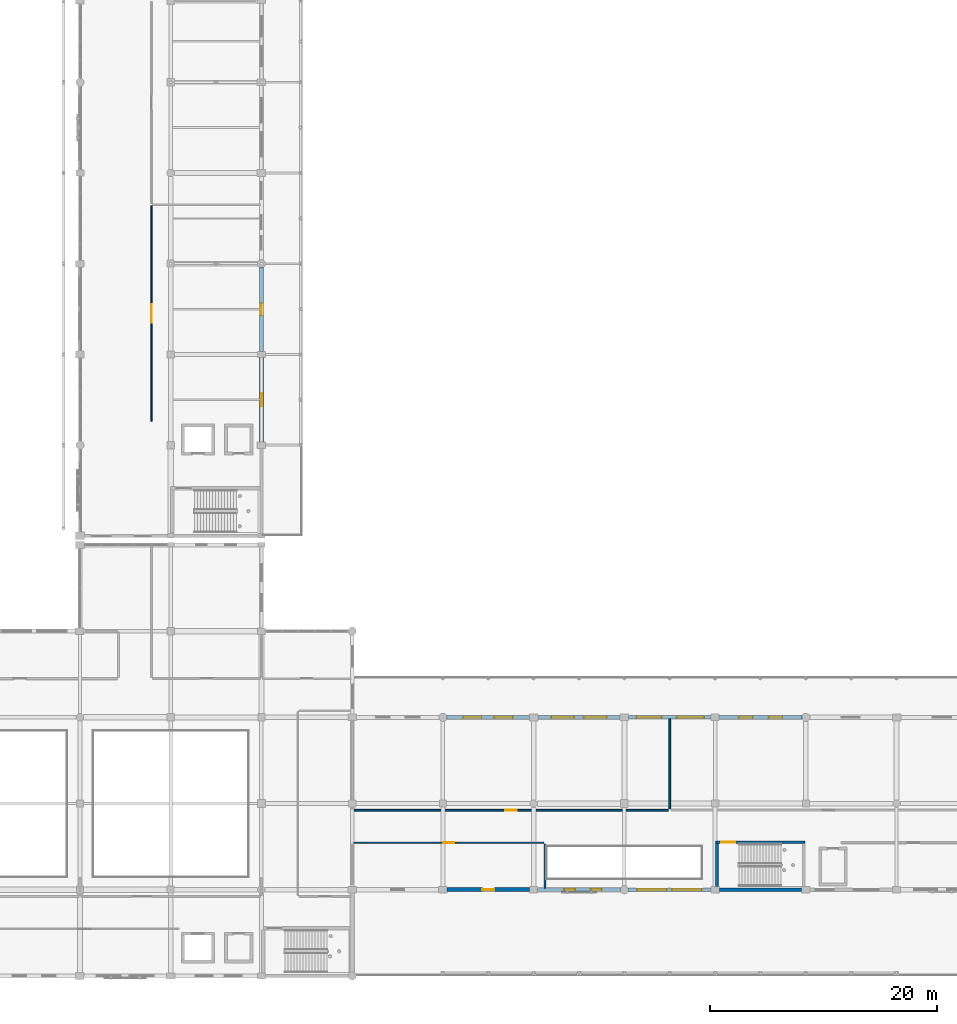
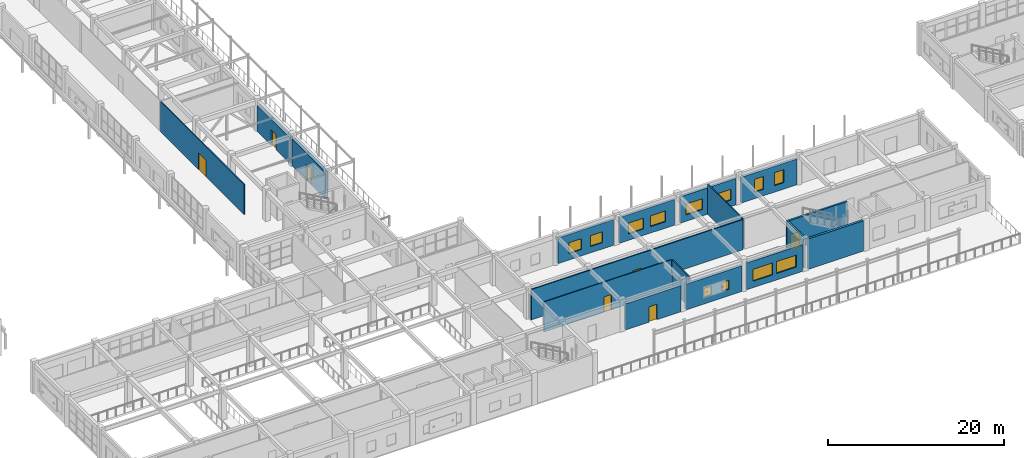
# One storey, part 127 of 160: 17 walls, 12 windows, 7 doors, 19 openings.
"""IFC4 building model written with IfcOpenShell, lengths in metres."""

from ifc_helpers import new_model, si_unit, direction, frame, frame_2d, origin, place, context, subcontext, project, spatial, rectangle, extrude, material, layer, layer_set, type_object, element, fill, save


model = new_model("IFC4")

# Units and contexts
model_context = context("Model", 3, precision=1e-05, world=origin(), true_north=direction((0.0, 1.0)))
body_context = subcontext(model_context, "Body", "Model", "MODEL_VIEW")
ifc_project = project(units=[si_unit("LENGTHUNIT", "METRE"), si_unit("AREAUNIT", "SQUARE_METRE"), si_unit("VOLUMEUNIT", "CUBIC_METRE"), si_unit("PLANEANGLEUNIT", "RADIAN"), si_unit("MASSUNIT", "GRAM", prefix="KILO")], contexts=[model_context])

# Site, building, storey
site_placement = place(None, origin())
site = spatial("IfcSite", under=ifc_project, at=site_placement, CompositionType="ELEMENT")
building_placement = place(site_placement, origin())
building = spatial("IfcBuilding", under=site, at=building_placement, Name="Kharva Crest Polytechnic", CompositionType="ELEMENT")
storey_placement = place(building_placement, frame((0.0, 0.0, 4.5)))
storey = spatial("IfcBuildingStorey", under=building, at=storey_placement, Name="L01", CompositionType="ELEMENT", Elevation=4.5)

# Wall, openings, windows
ifc_material_1 = material(Name="Kiln brick masonry", Category="masonry")
ifc_layer_1 = layer(ifc_material_1, 0.2900390625, Name="Kiln brick masonry")
ifc_layer_set_1 = layer_set([ifc_layer_1], Name="Kiln brick masonry")
wall_type_1 = type_object("IfcWallType", Name="WL-EXT-BRK-290", PredefinedType="SOLIDWALL", material=ifc_layer_set_1)
wall_1_placement = place(storey_placement, frame((71.6298828125, 22.800048828125, 0.0), z_axis=(0.0, 0.0, 1.0), x_axis=(-1.0, 0.0, 0.0)))
wall_1 = element("IfcWall", 1, at=wall_1_placement, inside=storey, type_object=wall_type_1, Name="L01 Exterior Brick Wall 144", PredefinedType="SOLIDWALL", context=body_context, shape_type="SweptSolid", body=[
    extrude(rectangle(XDim=7.327392578125, YDim=0.2900390625, at=frame_2d((3.66357421875, 0.0))), origin(), (0.0, 0.0, 1.0), 3.570068359375),
])
opening_1_placement = place(wall_1_placement, frame((1.48291015625, 0.0, 0.89990234375)))
opening_1 = element("IfcOpeningElement", 2, at=opening_1_placement, cuts=wall_1, Name="Opening W14", PredefinedType="OPENING", context=body_context, shape_type="SweptSolid", body=[
    extrude(rectangle(XDim=1.60009765625, YDim=1.5, at=frame_2d((0.800048828125, 0.75))), frame((0.0, 0.155029296875, 0.0), z_axis=(0.0, -1.0, 0.0), x_axis=(1.0, 0.0, 0.0)), (0.0, 0.0, 1.0), 0.31005859375),
])
opening_2_placement = place(wall_1_placement, frame((4.2451171875, 0.0, 0.89990234375)))
opening_2 = element("IfcOpeningElement", 3, at=opening_2_placement, cuts=wall_1, Name="Opening W14", PredefinedType="OPENING", context=body_context, shape_type="SweptSolid", body=[
    extrude(rectangle(XDim=1.60009765625, YDim=1.5, at=frame_2d((0.800048828125, 0.75))), frame((0.0, 0.155029296875, 0.0), z_axis=(0.0, -1.0, 0.0), x_axis=(1.0, 0.0, 0.0)), (0.0, 0.0, 1.0), 0.31005859375),
])
ifc_material_2 = material(Name="Anodised aluminium", Category="aluminium")
window_type_1 = type_object("IfcWindowType", Name="WIN-ALU-1600X1500", PartitioningType="SINGLE_PANEL", PredefinedType="WINDOW", material=ifc_material_2)
window_1_placement = place(opening_1_placement, origin())
window_1 = element("IfcWindow", 4, at=window_1_placement, inside=storey, type_object=window_type_1, Name="L01 Exterior Window 180", OverallHeight=1.5, OverallWidth=1.60009765625, PartitioningType="SINGLE_PANEL", PredefinedType="WINDOW", context=body_context, shape_type="SweptSolid", body=[
    extrude(rectangle(XDim=1.60009765625, YDim=1.5, at=frame_2d((0.800048828125, 0.75))), frame((0.0, 0.030029296875, 0.0), z_axis=(0.0, -1.0, 0.0), x_axis=(1.0, 0.0, 0.0)), (0.0, 0.0, 1.0), 0.06005859375),
])
fill(opening_1, window_1)
window_2_placement = place(opening_2_placement, origin())
window_2 = element("IfcWindow", 5, at=window_2_placement, inside=storey, type_object=window_type_1, Name="L01 Exterior Window 181", OverallHeight=1.5, OverallWidth=1.60009765625, PartitioningType="SINGLE_PANEL", PredefinedType="WINDOW", context=body_context, shape_type="SweptSolid", body=[
    extrude(rectangle(XDim=1.60009765625, YDim=1.5, at=frame_2d((0.800048828125, 0.75))), frame((0.0, 0.030029296875, 0.0), z_axis=(0.0, -1.0, 0.0), x_axis=(1.0, 0.0, 0.0)), (0.0, 0.0, 1.0), 0.06005859375),
])
fill(opening_2, window_2)

# Wall
ifc_layer_2 = layer(ifc_material_1, 0.304931640625, Name="Kiln brick masonry")
ifc_layer_set_2 = layer_set([ifc_layer_2], Name="Kiln brick masonry")
wall_type_2 = type_object("IfcWallType", Name="WL-EXT-BRK-305", PredefinedType="SOLIDWALL", material=ifc_layer_set_2)
wall_2_placement = place(storey_placement, frame((88.3701171875, 7.60009765625, 0.0), z_axis=(0.0, 0.0, 1.0), x_axis=(1.0, 0.0, 0.0)))
element("IfcWall", 6, at=wall_2_placement, inside=storey, type_object=wall_type_2, Name="L01 Exterior Brick Wall 135", PredefinedType="SOLIDWALL", context=body_context, shape_type="SweptSolid", body=[
    extrude(rectangle(XDim=7.259765625, YDim=0.304931640625, at=frame_2d((3.6298828125, 0.0))), origin(), (0.0, 0.0, 1.0), 4.219970703125),
])

# Wall, openings, windows
wall_3_placement = place(storey_placement, frame((79.6298828125, 22.800048828125, 0.0), z_axis=(0.0, 0.0, 1.0), x_axis=(-1.0, 0.0, 0.0)))
wall_3 = element("IfcWall", 7, at=wall_3_placement, inside=storey, type_object=wall_type_2, Name="L01 Exterior Brick Wall 143", PredefinedType="SOLIDWALL", context=body_context, shape_type="SweptSolid", body=[
    extrude(rectangle(XDim=7.259765625, YDim=0.304931640625, at=frame_2d((3.6298828125, 0.0))), origin(), (0.0, 0.0, 1.0), 3.570068359375),
])
opening_3_placement = place(wall_3_placement, frame((1.193115234375, 0.0, 0.89990234375)))
opening_3 = element("IfcOpeningElement", 8, at=opening_3_placement, cuts=wall_3, Name="Opening W12", PredefinedType="OPENING", context=body_context, shape_type="SweptSolid", body=[
    extrude(rectangle(XDim=2.0, YDim=1.5, at=frame_2d((1.0, 0.75))), frame((0.0, 0.162353515625, 0.0), z_axis=(0.0, -1.0, 0.0), x_axis=(1.0, 0.0, 0.0)), (0.0, 0.0, 1.0), 0.324951171875),
])
opening_4_placement = place(wall_3_placement, frame((4.06689453125, 0.0, 0.89990234375)))
opening_4 = element("IfcOpeningElement", 9, at=opening_4_placement, cuts=wall_3, Name="Opening W12", PredefinedType="OPENING", context=body_context, shape_type="SweptSolid", body=[
    extrude(rectangle(XDim=2.0, YDim=1.5, at=frame_2d((1.0, 0.75))), frame((0.0, 0.162353515625, 0.0), z_axis=(0.0, -1.0, 0.0), x_axis=(1.0, 0.0, 0.0)), (0.0, 0.0, 1.0), 0.324951171875),
])
window_type_2 = type_object("IfcWindowType", Name="WIN-ALU-2000X1500", PartitioningType="SINGLE_PANEL", PredefinedType="WINDOW", material=ifc_material_2)
window_3_placement = place(opening_3_placement, origin())
window_3 = element("IfcWindow", 10, at=window_3_placement, inside=storey, type_object=window_type_2, Name="L01 Exterior Window 178", OverallHeight=1.5, OverallWidth=2.0, PartitioningType="SINGLE_PANEL", PredefinedType="WINDOW", context=body_context, shape_type="SweptSolid", body=[
    extrude(rectangle(XDim=2.0, YDim=1.5, at=frame_2d((1.0, 0.75))), frame((0.0, 0.030029296875, 0.0), z_axis=(0.0, -1.0, 0.0), x_axis=(1.0, 0.0, 0.0)), (0.0, 0.0, 1.0), 0.06005859375),
])
fill(opening_3, window_3)
window_4_placement = place(opening_4_placement, origin())
window_4 = element("IfcWindow", 11, at=window_4_placement, inside=storey, type_object=window_type_2, Name="L01 Exterior Window 179", OverallHeight=1.5, OverallWidth=2.0, PartitioningType="SINGLE_PANEL", PredefinedType="WINDOW", context=body_context, shape_type="SweptSolid", body=[
    extrude(rectangle(XDim=2.0, YDim=1.5, at=frame_2d((1.0, 0.75))), frame((0.0, 0.030029296875, 0.0), z_axis=(0.0, -1.0, 0.0), x_axis=(1.0, 0.0, 0.0)), (0.0, 0.0, 1.0), 0.06005859375),
])
fill(opening_4, window_4)

ifc_layer_3 = layer(ifc_material_1, 0.320068359375, Name="Kiln brick masonry")
ifc_layer_set_3 = layer_set([ifc_layer_3], Name="Kiln brick masonry")
wall_type_3 = type_object("IfcWallType", Name="WL-EXT-BRK-320", PredefinedType="SOLIDWALL", material=ifc_layer_set_3)
wall_4_placement = place(storey_placement, frame((80.302490234375, 7.60009765625, 0.0), z_axis=(0.0, 0.0, 1.0), x_axis=(1.0, 0.0, 0.0)))
wall_4 = element("IfcWall", 12, at=wall_4_placement, inside=storey, type_object=wall_type_3, Name="L01 Exterior Brick Wall 134", PredefinedType="SOLIDWALL", context=body_context, shape_type="SweptSolid", body=[
    extrude(rectangle(XDim=7.327392578125, YDim=0.320068359375, at=frame_2d((3.66357421875, 0.0))), origin(), (0.0, 0.0, 1.0), 3.719970703125),
])
opening_5_placement = place(wall_4_placement, frame((0.81591796875, 0.0, 0.89990234375)))
opening_5 = element("IfcOpeningElement", 13, at=opening_5_placement, cuts=wall_4, Name="Opening W24", PredefinedType="OPENING", context=body_context, shape_type="SweptSolid", body=[
    extrude(rectangle(XDim=2.60009765625, YDim=1.64990234375, at=frame_2d((1.300048828125, 0.824951171875))), frame((0.0, 0.169921875, 0.0), z_axis=(0.0, -1.0, 0.0), x_axis=(1.0, 0.0, 0.0)), (0.0, 0.0, 1.0), 0.340087890625),
])
opening_6_placement = place(wall_4_placement, frame((3.912109375, 0.0, 0.89990234375)))
opening_6 = element("IfcOpeningElement", 14, at=opening_6_placement, cuts=wall_4, Name="Opening W24", PredefinedType="OPENING", context=body_context, shape_type="SweptSolid", body=[
    extrude(rectangle(XDim=2.60009765625, YDim=1.64990234375, at=frame_2d((1.300048828125, 0.824951171875))), frame((0.0, 0.169921875, 0.0), z_axis=(0.0, -1.0, 0.0), x_axis=(1.0, 0.0, 0.0)), (0.0, 0.0, 1.0), 0.340087890625),
])
window_type_3 = type_object("IfcWindowType", Name="WIN-ALU-2600X1650", PartitioningType="SINGLE_PANEL", PredefinedType="WINDOW", material=ifc_material_2)
window_5_placement = place(opening_5_placement, origin())
window_5 = element("IfcWindow", 15, at=window_5_placement, inside=storey, type_object=window_type_3, Name="L01 Exterior Window 166", OverallHeight=1.64990234375, OverallWidth=2.60009765625, PartitioningType="SINGLE_PANEL", PredefinedType="WINDOW", context=body_context, shape_type="SweptSolid", body=[
    extrude(rectangle(XDim=2.60009765625, YDim=1.64990234375, at=frame_2d((1.300048828125, 0.824951171875))), frame((0.0, 0.030029296875, 0.0), z_axis=(0.0, -1.0, 0.0), x_axis=(1.0, 0.0, 0.0)), (0.0, 0.0, 1.0), 0.06005859375),
])
fill(opening_5, window_5)
window_6_placement = place(opening_6_placement, origin())
window_6 = element("IfcWindow", 16, at=window_6_placement, inside=storey, type_object=window_type_3, Name="L01 Exterior Window 167", OverallHeight=1.64990234375, OverallWidth=2.60009765625, PartitioningType="SINGLE_PANEL", PredefinedType="WINDOW", context=body_context, shape_type="SweptSolid", body=[
    extrude(rectangle(XDim=2.60009765625, YDim=1.64990234375, at=frame_2d((1.300048828125, 0.824951171875))), frame((0.0, 0.030029296875, 0.0), z_axis=(0.0, -1.0, 0.0), x_axis=(1.0, 0.0, 0.0)), (0.0, 0.0, 1.0), 0.06005859375),
])
fill(opening_6, window_6)

wall_5_placement = place(storey_placement, frame((87.64501953125, 22.800048828125, 0.0), z_axis=(0.0, 0.0, 1.0), x_axis=(-1.0, 0.0, 0.0)))
wall_5 = element("IfcWall", 17, at=wall_5_placement, inside=storey, type_object=wall_type_3, Name="L01 Exterior Brick Wall 142", PredefinedType="SOLIDWALL", context=body_context, shape_type="SweptSolid", body=[
    extrude(rectangle(XDim=7.27490234375, YDim=0.320068359375, at=frame_2d((3.637451171875, 0.0))), origin(), (0.0, 0.0, 1.0), 3.669921875),
])
opening_7_placement = place(wall_5_placement, frame((0.617919921875, 0.0, 0.89990234375)))
opening_7 = element("IfcOpeningElement", 18, at=opening_7_placement, cuts=wall_5, Name="Opening W10", PredefinedType="OPENING", context=body_context, shape_type="SweptSolid", body=[
    extrude(rectangle(XDim=2.39990234375, YDim=1.5, at=frame_2d((1.199951171875, 0.75))), frame((0.0, 0.169921875, 0.0), z_axis=(0.0, -1.0, 0.0), x_axis=(1.0, 0.0, 0.0)), (0.0, 0.0, 1.0), 0.340087890625),
])
opening_8_placement = place(wall_5_placement, frame((4.35498046875, 0.0, 0.89990234375)))
opening_8 = element("IfcOpeningElement", 19, at=opening_8_placement, cuts=wall_5, Name="Opening W11", PredefinedType="OPENING", context=body_context, shape_type="SweptSolid", body=[
    extrude(rectangle(XDim=2.199951171875, YDim=1.5, at=frame_2d((1.10009765625, 0.75))), frame((0.0, 0.169921875, 0.0), z_axis=(0.0, -1.0, 0.0), x_axis=(1.0, 0.0, 0.0)), (0.0, 0.0, 1.0), 0.340087890625),
])
window_type_4 = type_object("IfcWindowType", Name="WIN-ALU-2200X1500", PartitioningType="SINGLE_PANEL", PredefinedType="WINDOW", material=ifc_material_2)
window_7_placement = place(opening_8_placement, origin())
window_7 = element("IfcWindow", 20, at=window_7_placement, inside=storey, type_object=window_type_4, Name="L01 Exterior Window 177", OverallHeight=1.5, OverallWidth=2.199951171875, PartitioningType="SINGLE_PANEL", PredefinedType="WINDOW", context=body_context, shape_type="SweptSolid", body=[
    extrude(rectangle(XDim=2.199951171875, YDim=1.5, at=frame_2d((1.10009765625, 0.75))), frame((0.0, 0.030029296875, 0.0), z_axis=(0.0, -1.0, 0.0), x_axis=(1.0, 0.0, 0.0)), (0.0, 0.0, 1.0), 0.06005859375),
])
fill(opening_8, window_7)
window_type_5 = type_object("IfcWindowType", Name="WIN-ALU-2400X1500", PartitioningType="SINGLE_PANEL", PredefinedType="WINDOW", material=ifc_material_2)
window_8_placement = place(opening_7_placement, origin())
window_8 = element("IfcWindow", 21, at=window_8_placement, inside=storey, type_object=window_type_5, Name="L01 Exterior Window 176", OverallHeight=1.5, OverallWidth=2.39990234375, PartitioningType="SINGLE_PANEL", PredefinedType="WINDOW", context=body_context, shape_type="SweptSolid", body=[
    extrude(rectangle(XDim=2.39990234375, YDim=1.5, at=frame_2d((1.199951171875, 0.75))), frame((0.0, 0.030029296875, 0.0), z_axis=(0.0, -1.0, 0.0), x_axis=(1.0, 0.0, 0.0)), (0.0, 0.0, 1.0), 0.06005859375),
])
fill(opening_7, window_8)

ifc_layer_4 = layer(ifc_material_1, 0.3349609375, Name="Kiln brick masonry")
ifc_layer_set_4 = layer_set([ifc_layer_4], Name="Kiln brick masonry")
wall_type_4 = type_object("IfcWallType", Name="WL-EXT-BRK-335", PredefinedType="SOLIDWALL", material=ifc_layer_set_4)
wall_6_placement = place(storey_placement, frame((72.35498046875, 7.60009765625, 0.0), z_axis=(0.0, 0.0, 1.0), x_axis=(1.0, 0.0, 0.0)))
wall_6 = element("IfcWall", 22, at=wall_6_placement, inside=storey, type_object=wall_type_4, Name="L01 Exterior Brick Wall 133", PredefinedType="SOLIDWALL", context=body_context, shape_type="SweptSolid", body=[
    extrude(rectangle(XDim=7.342529296875, YDim=0.3349609375, at=frame_2d((3.67138671875, 0.0))), origin(), (0.0, 0.0, 1.0), 3.570068359375),
])
opening_9_placement = place(wall_6_placement, frame((2.35107421875, 0.0, 0.89990234375)))
opening_9 = element("IfcOpeningElement", 23, at=opening_9_placement, cuts=wall_6, Name="Opening W22", PredefinedType="OPENING", context=body_context, shape_type="SweptSolid", body=[
    extrude(rectangle(XDim=0.949951171875, YDim=1.25, at=frame_2d((0.47509765625, 0.625))), frame((0.0, 0.177490234375, 0.0), z_axis=(0.0, -1.0, 0.0), x_axis=(1.0, 0.0, 0.0)), (0.0, 0.0, 1.0), 0.35498046875),
])
opening_10_placement = place(wall_6_placement, frame((4.68701171875, 0.0, 0.89990234375)))
opening_10 = element("IfcOpeningElement", 24, at=opening_10_placement, cuts=wall_6, Name="Opening W22", PredefinedType="OPENING", context=body_context, shape_type="SweptSolid", body=[
    extrude(rectangle(XDim=0.949951171875, YDim=1.25, at=frame_2d((0.47509765625, 0.625))), frame((0.0, 0.177490234375, 0.0), z_axis=(0.0, -1.0, 0.0), x_axis=(1.0, 0.0, 0.0)), (0.0, 0.0, 1.0), 0.35498046875),
])
window_type_6 = type_object("IfcWindowType", Name="WIN-ALU-950X1250", PartitioningType="SINGLE_PANEL", PredefinedType="WINDOW", material=ifc_material_2)
window_9_placement = place(opening_9_placement, origin())
window_9 = element("IfcWindow", 25, at=window_9_placement, inside=storey, type_object=window_type_6, Name="L01 Exterior Window 164", OverallHeight=1.25, OverallWidth=0.949951171875, PartitioningType="SINGLE_PANEL", PredefinedType="WINDOW", context=body_context, shape_type="SweptSolid", body=[
    extrude(rectangle(XDim=0.949951171875, YDim=1.25, at=frame_2d((0.47509765625, 0.625))), frame((0.0, 0.030029296875, 0.0), z_axis=(0.0, -1.0, 0.0), x_axis=(1.0, 0.0, 0.0)), (0.0, 0.0, 1.0), 0.06005859375),
])
fill(opening_9, window_9)
window_10_placement = place(opening_10_placement, origin())
window_10 = element("IfcWindow", 26, at=window_10_placement, inside=storey, type_object=window_type_6, Name="L01 Exterior Window 165", OverallHeight=1.25, OverallWidth=0.949951171875, PartitioningType="SINGLE_PANEL", PredefinedType="WINDOW", context=body_context, shape_type="SweptSolid", body=[
    extrude(rectangle(XDim=0.949951171875, YDim=1.25, at=frame_2d((0.47509765625, 0.625))), frame((0.0, 0.030029296875, 0.0), z_axis=(0.0, -1.0, 0.0), x_axis=(1.0, 0.0, 0.0)), (0.0, 0.0, 1.0), 0.06005859375),
])
fill(opening_10, window_10)

wall_7_placement = place(storey_placement, frame((95.697509765625, 22.800048828125, 0.0), z_axis=(0.0, 0.0, 1.0), x_axis=(-1.0, 0.0, 0.0)))
wall_7 = element("IfcWall", 27, at=wall_7_placement, inside=storey, type_object=wall_type_4, Name="L01 Exterior Brick Wall 141", PredefinedType="SOLIDWALL", context=body_context, shape_type="SweptSolid", body=[
    extrude(rectangle(XDim=7.342529296875, YDim=0.3349609375, at=frame_2d((3.67138671875, 0.0))), origin(), (0.0, 0.0, 1.0), 3.570068359375),
])
opening_11_placement = place(wall_7_placement, frame((1.75390625, 0.0, 0.89990234375)))
opening_11 = element("IfcOpeningElement", 28, at=opening_11_placement, cuts=wall_7, Name="Opening W08", PredefinedType="OPENING", context=body_context, shape_type="SweptSolid", body=[
    extrude(rectangle(XDim=1.199951171875, YDim=1.800048828125, at=frame_2d((0.60009765625, 0.89990234375))), frame((0.0, 0.177490234375, 0.0), z_axis=(0.0, -1.0, 0.0), x_axis=(1.0, 0.0, 0.0)), (0.0, 0.0, 1.0), 0.35498046875),
])
opening_12_placement = place(wall_7_placement, frame((4.387939453125, 0.0, 0.89990234375)))
opening_12 = element("IfcOpeningElement", 29, at=opening_12_placement, cuts=wall_7, Name="Opening W08", PredefinedType="OPENING", context=body_context, shape_type="SweptSolid", body=[
    extrude(rectangle(XDim=1.199951171875, YDim=1.800048828125, at=frame_2d((0.60009765625, 0.89990234375))), frame((0.0, 0.177490234375, 0.0), z_axis=(0.0, -1.0, 0.0), x_axis=(1.0, 0.0, 0.0)), (0.0, 0.0, 1.0), 0.35498046875),
])
window_type_7 = type_object("IfcWindowType", Name="WIN-ALU-1200X1800", PartitioningType="SINGLE_PANEL", PredefinedType="WINDOW", material=ifc_material_2)
window_11_placement = place(opening_11_placement, origin())
window_11 = element("IfcWindow", 30, at=window_11_placement, inside=storey, type_object=window_type_7, Name="L01 Exterior Window 174", OverallHeight=1.800048828125, OverallWidth=1.199951171875, PartitioningType="SINGLE_PANEL", PredefinedType="WINDOW", context=body_context, shape_type="SweptSolid", body=[
    extrude(rectangle(XDim=1.199951171875, YDim=1.800048828125, at=frame_2d((0.60009765625, 0.89990234375))), frame((0.0, 0.030029296875, 0.0), z_axis=(0.0, -1.0, 0.0), x_axis=(1.0, 0.0, 0.0)), (0.0, 0.0, 1.0), 0.06005859375),
])
fill(opening_11, window_11)
window_12_placement = place(opening_12_placement, origin())
window_12 = element("IfcWindow", 31, at=window_12_placement, inside=storey, type_object=window_type_7, Name="L01 Exterior Window 175", OverallHeight=1.800048828125, OverallWidth=1.199951171875, PartitioningType="SINGLE_PANEL", PredefinedType="WINDOW", context=body_context, shape_type="SweptSolid", body=[
    extrude(rectangle(XDim=1.199951171875, YDim=1.800048828125, at=frame_2d((0.60009765625, 0.89990234375))), frame((0.0, 0.030029296875, 0.0), z_axis=(0.0, -1.0, 0.0), x_axis=(1.0, 0.0, 0.0)), (0.0, 0.0, 1.0), 0.06005859375),
])
fill(opening_12, window_12)

# Wall, opening, door
ifc_layer_5 = layer(ifc_material_1, 0.35009765625, Name="Kiln brick masonry")
ifc_layer_set_5 = layer_set([ifc_layer_5], Name="Kiln brick masonry")
wall_type_5 = type_object("IfcWallType", Name="WL-EXT-BRK-350", PredefinedType="SOLIDWALL", material=ifc_layer_set_5)
wall_8_placement = place(storey_placement, frame((64.3701171875, 7.60009765625, 0.0), z_axis=(0.0, 0.0, 1.0), x_axis=(1.0, 0.0, 0.0)))
wall_8 = element("IfcWall", 32, at=wall_8_placement, inside=storey, type_object=wall_type_5, Name="L01 Exterior Brick Wall 132", PredefinedType="SOLIDWALL", context=body_context, shape_type="SweptSolid", body=[
    extrude(rectangle(XDim=7.27490234375, YDim=0.35009765625, at=frame_2d((3.637451171875, 0.0))), origin(), (0.0, 0.0, 1.0), 3.6201171875),
])
opening_13_placement = place(wall_8_placement, frame((3.112060546875, 0.0, 0.0)))
opening_13 = element("IfcOpeningElement", 33, at=opening_13_placement, cuts=wall_8, Name="Opening ED10", PredefinedType="OPENING", context=body_context, shape_type="SweptSolid", body=[
    extrude(rectangle(XDim=1.050048828125, YDim=2.14990234375, at=frame_2d((0.52490234375, 1.074951171875))), frame((0.0, 0.18505859375, 0.0), z_axis=(0.0, -1.0, 0.0), x_axis=(1.0, 0.0, 0.0)), (0.0, 0.0, 1.0), 0.3701171875),
])
door_type_1 = type_object("IfcDoorType", Name="DR-EXT-TER-1050X2150", OperationType="NOTDEFINED", PredefinedType="DOOR", material=ifc_material_2)
door_1_placement = place(opening_13_placement, frame((1.050048828125, 0.0, 0.0), z_axis=(0.0, 0.0, 1.0), x_axis=(-1.0, 0.0, 0.0)))
door_1 = element("IfcDoor", 34, at=door_1_placement, inside=storey, type_object=door_type_1, Name="L01 ARC_S_L01 Access Door 31", OperationType="SINGLE_SWING_LEFT", OverallHeight=2.14990234375, OverallWidth=1.050048828125, PredefinedType="DOOR", context=body_context, shape_type="SweptSolid", body=[
    extrude(rectangle(XDim=1.050048828125, YDim=2.14990234375, at=frame_2d((0.52490234375, 1.074951171875))), frame((0.0, 0.02490234375, 0.0), z_axis=(0.0, -1.0, 0.0), x_axis=(1.0, 0.0, 0.0)), (0.0, 0.0, 1.0), 0.050048828125),
])
fill(opening_13, door_1)

ifc_layer_6 = layer(ifc_material_1, 0.364990234375, Name="Kiln brick masonry")
ifc_layer_set_6 = layer_set([ifc_layer_6], Name="Kiln brick masonry")
wall_type_6 = type_object("IfcWallType", Name="WL-EXT-BRK-365", PredefinedType="SOLIDWALL", material=ifc_layer_set_6)
wall_9_placement = place(storey_placement, frame((48.0, 55.070068359375, 0.0), z_axis=(0.0, 0.0, 1.0), x_axis=(0.0, 1.0, 0.0)))
wall_9 = element("IfcWall", 35, at=wall_9_placement, inside=storey, type_object=wall_type_6, Name="L01 Exterior Brick Wall 172", PredefinedType="SOLIDWALL", context=body_context, shape_type="SweptSolid", body=[
    extrude(rectangle(XDim=7.427490234375, YDim=0.364990234375, at=frame_2d((3.7138671875, 0.0))), origin(), (0.0, 0.0, 1.0), 3.60009765625),
])
opening_14_placement = place(wall_9_placement, frame((3.18896484375, 0.0, 0.0)))
opening_14 = element("IfcOpeningElement", 36, at=opening_14_placement, cuts=wall_9, Name="Opening ED10", PredefinedType="OPENING", context=body_context, shape_type="SweptSolid", body=[
    extrude(rectangle(XDim=1.050048828125, YDim=2.14990234375, at=frame_2d((0.52490234375, 1.074951171875))), frame((0.0, 0.1923828125, 0.0), z_axis=(0.0, -1.0, 0.0), x_axis=(1.0, 0.0, 0.0)), (0.0, 0.0, 1.0), 0.385009765625),
])
door_2_placement = place(opening_14_placement, frame((1.050048828125, 0.0, 0.0), z_axis=(0.0, 0.0, 1.0), x_axis=(-1.0, 0.0, 0.0)))
door_2 = element("IfcDoor", 37, at=door_2_placement, inside=storey, type_object=door_type_1, Name="L01 VER_W_L01 Access Door 35", OperationType="SINGLE_SWING_LEFT", OverallHeight=2.14990234375, OverallWidth=1.050048828125, PredefinedType="DOOR", context=body_context, shape_type="SweptSolid", body=[
    extrude(rectangle(XDim=1.050048828125, YDim=2.14990234375, at=frame_2d((0.52490234375, 1.074951171875))), frame((0.0, 0.02490234375, 0.0), z_axis=(0.0, -1.0, 0.0), x_axis=(1.0, 0.0, 0.0)), (0.0, 0.0, 1.0), 0.050048828125),
])
fill(opening_14, door_2)

ifc_layer_7 = layer(ifc_material_1, 0.3798828125, Name="Kiln brick masonry")
ifc_layer_set_7 = layer_set([ifc_layer_7], Name="Kiln brick masonry")
wall_type_7 = type_object("IfcWallType", Name="WL-EXT-BRK-380", PredefinedType="SOLIDWALL", material=ifc_layer_set_7)
wall_10_placement = place(storey_placement, frame((48.0, 47.070068359375, 0.0), z_axis=(0.0, 0.0, 1.0), x_axis=(0.0, 1.0, 0.0)))
wall_10 = element("IfcWall", 38, at=wall_10_placement, inside=storey, type_object=wall_type_7, Name="L01 Exterior Brick Wall 171", PredefinedType="SOLIDWALL", context=body_context, shape_type="SweptSolid", body=[
    extrude(rectangle(XDim=7.4599609375, YDim=0.3798828125, at=frame_2d((3.72998046875, 0.0))), origin(), (0.0, 0.0, 1.0), 3.780029296875),
])
opening_15_placement = place(wall_10_placement, frame((3.155029296875, 0.0, 0.0)))
opening_15 = element("IfcOpeningElement", 39, at=opening_15_placement, cuts=wall_10, Name="Opening ED9", PredefinedType="OPENING", context=body_context, shape_type="SweptSolid", body=[
    extrude(rectangle(XDim=1.14990234375, YDim=2.199951171875, at=frame_2d((0.574951171875, 1.10009765625))), frame((0.0, 0.199951171875, 0.0), z_axis=(0.0, -1.0, 0.0), x_axis=(1.0, 0.0, 0.0)), (0.0, 0.0, 1.0), 0.39990234375),
])
door_type_2 = type_object("IfcDoorType", Name="DR-EXT-TER-1150X2200", OperationType="NOTDEFINED", PredefinedType="DOOR", material=ifc_material_2)
door_3_placement = place(opening_15_placement, frame((1.14990234375, 0.0, 0.0), z_axis=(0.0, 0.0, 1.0), x_axis=(-1.0, 0.0, 0.0)))
door_3 = element("IfcDoor", 40, at=door_3_placement, inside=storey, type_object=door_type_2, Name="L01 VER_W_L01 Access Door 34", OperationType="SINGLE_SWING_RIGHT", OverallHeight=2.199951171875, OverallWidth=1.14990234375, PredefinedType="DOOR", context=body_context, shape_type="SweptSolid", body=[
    extrude(rectangle(XDim=1.14990234375, YDim=2.199951171875, at=frame_2d((0.574951171875, 1.10009765625))), frame((0.0, 0.02490234375, 0.0), z_axis=(0.0, -1.0, 0.0), x_axis=(1.0, 0.0, 0.0)), (0.0, 0.0, 1.0), 0.050048828125),
])
fill(opening_15, door_3)

ifc_layer_8 = layer(ifc_material_1, 0.10009765625, Name="Kiln brick masonry")
ifc_layer_set_8 = layer_set([ifc_layer_8], Name="Kiln brick masonry")
wall_type_8 = type_object("IfcWallType", Name="WL-PART-100", PredefinedType="PARTITIONING", material=ifc_layer_set_8)
wall_11_placement = place(storey_placement, frame((56.1201171875, 11.739990234375, 0.0), z_axis=(0.0, 0.0, 1.0), x_axis=(1.0, 0.0, 0.0)))
wall_11 = element("IfcWall", 41, at=wall_11_placement, inside=storey, type_object=wall_type_8, Name="L01 Interior Partition 148", PredefinedType="PARTITIONING", context=body_context, shape_type="SweptSolid", body=[
    extrude(rectangle(XDim=16.769775390625, YDim=0.10009765625, at=frame_2d((8.384765625, 0.0))), origin(), (0.0, 0.0, 1.0), 4.199951171875),
])
opening_16_placement = place(wall_11_placement, frame((7.905029296875, 0.0, 0.0)))
opening_16 = element("IfcOpeningElement", 42, at=opening_16_placement, cuts=wall_11, Name="Opening ID13", PredefinedType="OPENING", context=body_context, shape_type="SweptSolid", body=[
    extrude(rectangle(XDim=0.9599609375, YDim=2.14990234375, at=frame_2d((0.47998046875, 1.074951171875))), frame((0.0, 0.06005859375, 0.0), z_axis=(0.0, -1.0, 0.0), x_axis=(1.0, 0.0, 0.0)), (0.0, 0.0, 1.0), 0.1201171875),
])
ifc_material_3 = material(Name="Teak timber", Category="wood")
door_type_3 = type_object("IfcDoorType", Name="DR-OFF-960X2150", OperationType="NOTDEFINED", PredefinedType="DOOR", material=ifc_material_3)
door_4_placement = place(opening_16_placement, origin())
door_4 = element("IfcDoor", 43, at=door_4_placement, inside=storey, type_object=door_type_3, Name="L01 Departmental Office L01-W Door", OperationType="SINGLE_SWING_LEFT", OverallHeight=2.14990234375, OverallWidth=0.9599609375, PredefinedType="DOOR", context=body_context, shape_type="SweptSolid", body=[
    extrude(rectangle(XDim=0.9599609375, YDim=2.14990234375, at=frame_2d((0.47998046875, 1.074951171875))), frame((0.0, 0.02490234375, 0.0), z_axis=(0.0, -1.0, 0.0), x_axis=(1.0, 0.0, 0.0)), (0.0, 0.0, 1.0), 0.050048828125),
])
fill(opening_16, door_4)

ifc_layer_9 = layer(ifc_material_1, 0.1201171875, Name="Kiln brick masonry")
ifc_layer_set_9 = layer_set([ifc_layer_9], Name="Kiln brick masonry")
wall_type_9 = type_object("IfcWallType", Name="WL-PART-120", PredefinedType="PARTITIONING", material=ifc_layer_set_9)
wall_12_placement = place(storey_placement, frame((38.31005859375, 48.909912109375, 0.0), z_axis=(0.0, 0.0, 1.0), x_axis=(0.0, 1.0, 0.0)))
wall_12 = element("IfcWall", 44, at=wall_12_placement, inside=storey, type_object=wall_type_9, Name="L01 Interior Partition 116", PredefinedType="PARTITIONING", context=body_context, shape_type="SweptSolid", body=[
    extrude(rectangle(XDim=18.97998046875, YDim=0.1201171875, at=frame_2d((9.489990234375, 0.0))), origin(), (0.0, 0.0, 1.0), 4.199951171875),
])
opening_17_placement = place(wall_12_placement, frame((8.6650390625, 0.0, 0.0)))
opening_17 = element("IfcOpeningElement", 45, at=opening_17_placement, cuts=wall_12, Name="Opening ID3", PredefinedType="OPENING", context=body_context, shape_type="SweptSolid", body=[
    extrude(rectangle(XDim=1.64990234375, YDim=2.300048828125, at=frame_2d((0.824951171875, 1.14990234375))), frame((0.0, 0.070068359375, 0.0), z_axis=(0.0, -1.0, 0.0), x_axis=(1.0, 0.0, 0.0)), (0.0, 0.0, 1.0), 0.14013671875),
])
door_type_4 = type_object("IfcDoorType", Name="DR-WKSHP-DBL-1650X2300", OperationType="NOTDEFINED", PredefinedType="DOOR", material=ifc_material_3)
door_5_placement = place(opening_17_placement, origin())
door_5 = element("IfcDoor", 46, at=door_5_placement, inside=storey, type_object=door_type_4, Name="L01 Precision Metrology Workshop Door", OperationType="DOUBLE_DOOR_SINGLE_SWING", OverallHeight=2.300048828125, OverallWidth=1.64990234375, PredefinedType="DOOR", context=body_context, shape_type="SweptSolid", body=[
    extrude(rectangle(XDim=1.64990234375, YDim=2.300048828125, at=frame_2d((0.824951171875, 1.14990234375))), frame((0.0, 0.02490234375, 0.0), z_axis=(0.0, -1.0, 0.0), x_axis=(1.0, 0.0, 0.0)), (0.0, 0.0, 1.0), 0.050048828125),
])
fill(opening_17, door_5)

# Wall
ifc_layer_10 = layer(ifc_material_1, 0.139892578125, Name="Kiln brick masonry")
ifc_layer_set_10 = layer_set([ifc_layer_10], Name="Kiln brick masonry")
wall_type_10 = type_object("IfcWallType", Name="WL-PART-140", PredefinedType="PARTITIONING", material=ifc_layer_set_10)
wall_13_placement = place(storey_placement, frame((84.0, 14.719970703125, 0.0), z_axis=(0.0, 0.0, 1.0), x_axis=(0.0, 1.0, 0.0)))
element("IfcWall", 47, at=wall_13_placement, inside=storey, type_object=wall_type_10, Name="L01 Interior Partition 154", PredefinedType="PARTITIONING", context=body_context, shape_type="SweptSolid", body=[
    extrude(rectangle(XDim=7.969970703125, YDim=0.139892578125, at=frame_2d((3.98486328125, 0.0))), origin(), (0.0, 0.0, 1.0), 4.199951171875),
])

# Wall, opening, door
ifc_layer_11 = layer(ifc_material_1, 0.159912109375, Name="Kiln brick masonry")
ifc_layer_set_11 = layer_set([ifc_layer_11], Name="Kiln brick masonry")
wall_type_11 = type_object("IfcWallType", Name="WL-PART-160", PredefinedType="PARTITIONING", material=ifc_layer_set_11)
wall_14_placement = place(storey_placement, frame((56.1201171875, 14.610107421875, 0.0), z_axis=(0.0, 0.0, 1.0), x_axis=(1.0, 0.0, 0.0)))
wall_14 = element("IfcWall", 48, at=wall_14_placement, inside=storey, type_object=wall_type_11, Name="L01 Interior Partition 152", PredefinedType="PARTITIONING", context=body_context, shape_type="SweptSolid", body=[
    extrude(rectangle(XDim=27.769775390625, YDim=0.159912109375, at=frame_2d((13.884765625, 0.0))), origin(), (0.0, 0.0, 1.0), 4.199951171875),
])
opening_18_placement = place(wall_14_placement, frame((13.364990234375, 0.0, 0.0)))
opening_18 = element("IfcOpeningElement", 49, at=opening_18_placement, cuts=wall_14, Name="Opening ID11", PredefinedType="OPENING", context=body_context, shape_type="SweptSolid", body=[
    extrude(rectangle(XDim=1.0400390625, YDim=2.14990234375, at=frame_2d((0.52001953125, 1.074951171875))), frame((0.0, 0.08984375, 0.0), z_axis=(0.0, -1.0, 0.0), x_axis=(1.0, 0.0, 0.0)), (0.0, 0.0, 1.0), 0.179931640625),
])
door_type_5 = type_object("IfcDoorType", Name="DR-CLS-1040X2150", OperationType="NOTDEFINED", PredefinedType="DOOR", material=ifc_material_3)
door_6_placement = place(opening_18_placement, origin())
door_6 = element("IfcDoor", 50, at=door_6_placement, inside=storey, type_object=door_type_5, Name="L01 Curriculum Seminar Room L01 Door", OperationType="SINGLE_SWING_LEFT", OverallHeight=2.14990234375, OverallWidth=1.0400390625, PredefinedType="DOOR", context=body_context, shape_type="SweptSolid", body=[
    extrude(rectangle(XDim=1.0400390625, YDim=2.14990234375, at=frame_2d((0.52001953125, 1.074951171875))), frame((0.0, 0.02490234375, 0.0), z_axis=(0.0, -1.0, 0.0), x_axis=(1.0, 0.0, 0.0)), (0.0, 0.0, 1.0), 0.050048828125),
])
fill(opening_18, door_6)

# Wall
ifc_layer_12 = layer(ifc_material_1, 0.179931640625, Name="Kiln brick masonry")
ifc_layer_set_12 = layer_set([ifc_layer_12], Name="Kiln brick masonry")
wall_type_12 = type_object("IfcWallType", Name="WL-PART-180", PredefinedType="PARTITIONING", material=ifc_layer_set_12)
wall_15_placement = place(storey_placement, frame((73.0, 7.7099609375, 0.0), z_axis=(0.0, 0.0, 1.0), x_axis=(0.0, 1.0, 0.0)))
element("IfcWall", 51, at=wall_15_placement, inside=storey, type_object=wall_type_12, Name="L01 Interior Partition 150", PredefinedType="PARTITIONING", context=body_context, shape_type="SweptSolid", body=[
    extrude(rectangle(XDim=3.919921875, YDim=0.179931640625, at=frame_2d((1.9599609375, 0.0))), origin(), (0.0, 0.0, 1.0), 4.199951171875),
])

# Wall, opening, door
ifc_material_4 = material(Name="Concrete C40/50", Category="concrete")
ifc_layer_13 = layer(ifc_material_4, 0.25, Name="Concrete C40/50")
ifc_layer_set_13 = layer_set([ifc_layer_13], Name="Concrete C40/50")
wall_type_13 = type_object("IfcWallType", Name="WL-SHEAR-SW1-250", PredefinedType="SHEAR", material=ifc_layer_set_13)
wall_16_placement = place(storey_placement, frame((88.050048828125, 11.784912109375, 0.0), z_axis=(0.0, 0.0, 1.0), x_axis=(1.0, 0.0, 0.0)))
wall_16 = element("IfcWall", 52, at=wall_16_placement, inside=storey, type_object=wall_type_13, Name="L01 South Entrance Wing Stair C8 North Shear Wall", PredefinedType="SHEAR", context=body_context, shape_type="SweptSolid", body=[
    extrude(rectangle(XDim=7.89990234375, YDim=0.25, at=frame_2d((3.949951171875, 0.0))), origin(), (0.0, 0.0, 1.0), 4.219970703125),
])
opening_19_placement = place(wall_16_placement, frame((0.5, 0.0, 0.0)))
opening_19 = element("IfcOpeningElement", 53, at=opening_19_placement, cuts=wall_16, Name="Opening FD1B", PredefinedType="OPENING", context=body_context, shape_type="SweptSolid", body=[
    extrude(rectangle(XDim=1.25, YDim=2.199951171875, at=frame_2d((0.625, 1.10009765625))), frame((0.0, 0.135009765625, 0.0), z_axis=(0.0, -1.0, 0.0), x_axis=(1.0, 0.0, 0.0)), (0.0, 0.0, 1.0), 0.27001953125),
])
door_type_6 = type_object("IfcDoorType", Name="DR-STAIR-1250X2200", OperationType="NOTDEFINED", PredefinedType="DOOR", material=ifc_material_3)
door_7_placement = place(opening_19_placement, origin())
door_7 = element("IfcDoor", 54, at=door_7_placement, inside=storey, type_object=door_type_6, Name="L01 ST-08 Stair Door", OperationType="SINGLE_SWING_RIGHT", OverallHeight=2.199951171875, OverallWidth=1.25, PredefinedType="DOOR", context=body_context, shape_type="SweptSolid", body=[
    extrude(rectangle(XDim=1.25, YDim=2.199951171875, at=frame_2d((0.625, 1.10009765625))), frame((0.0, 0.02490234375, 0.0), z_axis=(0.0, -1.0, 0.0), x_axis=(1.0, 0.0, 0.0)), (0.0, 0.0, 1.0), 0.050048828125),
])
fill(opening_19, door_7)

# Wall
wall_17_placement = place(storey_placement, frame((88.175048828125, 7.89990234375, 0.0), z_axis=(0.0, 0.0, 1.0), x_axis=(0.0, 1.0, 0.0)))
element("IfcWall", 55, at=wall_17_placement, inside=storey, type_object=wall_type_13, Name="L01 South Entrance Wing Stair C8 West Shear Wall", PredefinedType="SHEAR", context=body_context, shape_type="SweptSolid", body=[
    extrude(rectangle(XDim=3.760009765625, YDim=0.25, at=frame_2d((1.8798828125, 0.0))), origin(), (0.0, 0.0, 1.0), 4.219970703125),
])

save(model, "model.ifc")
